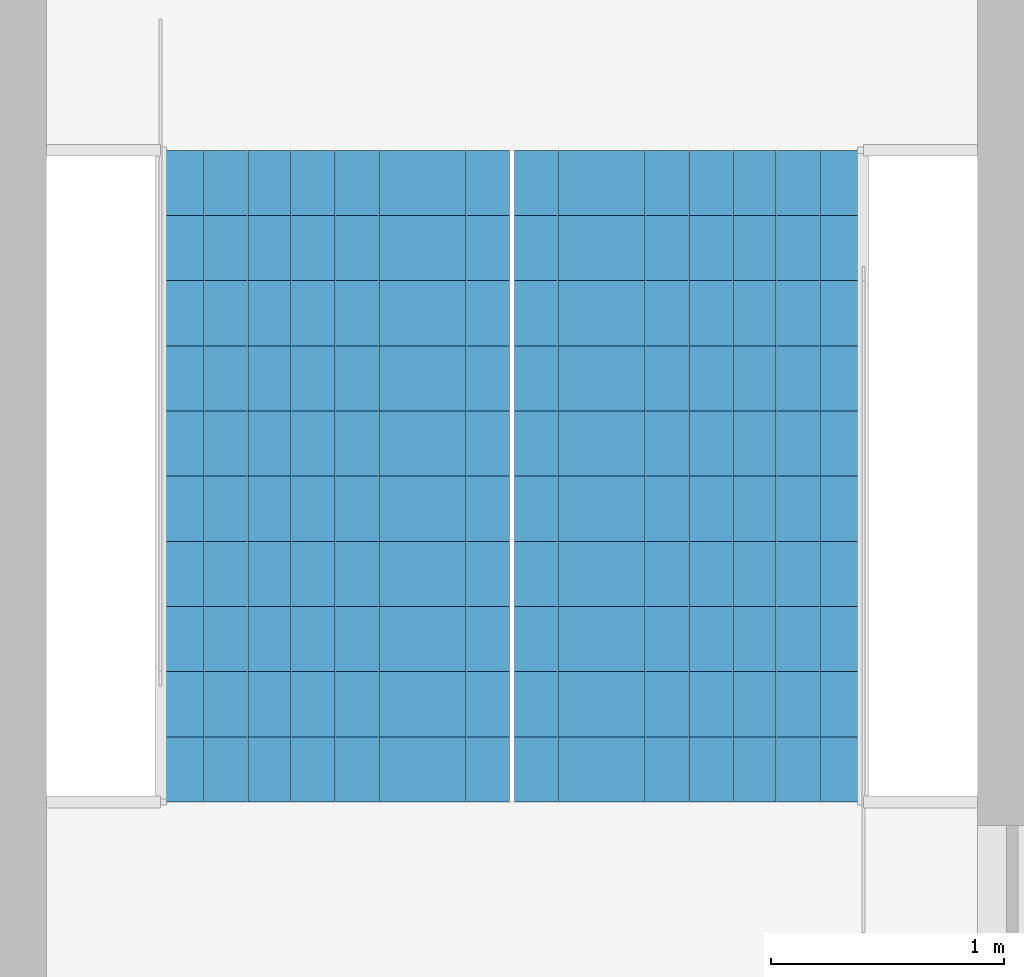
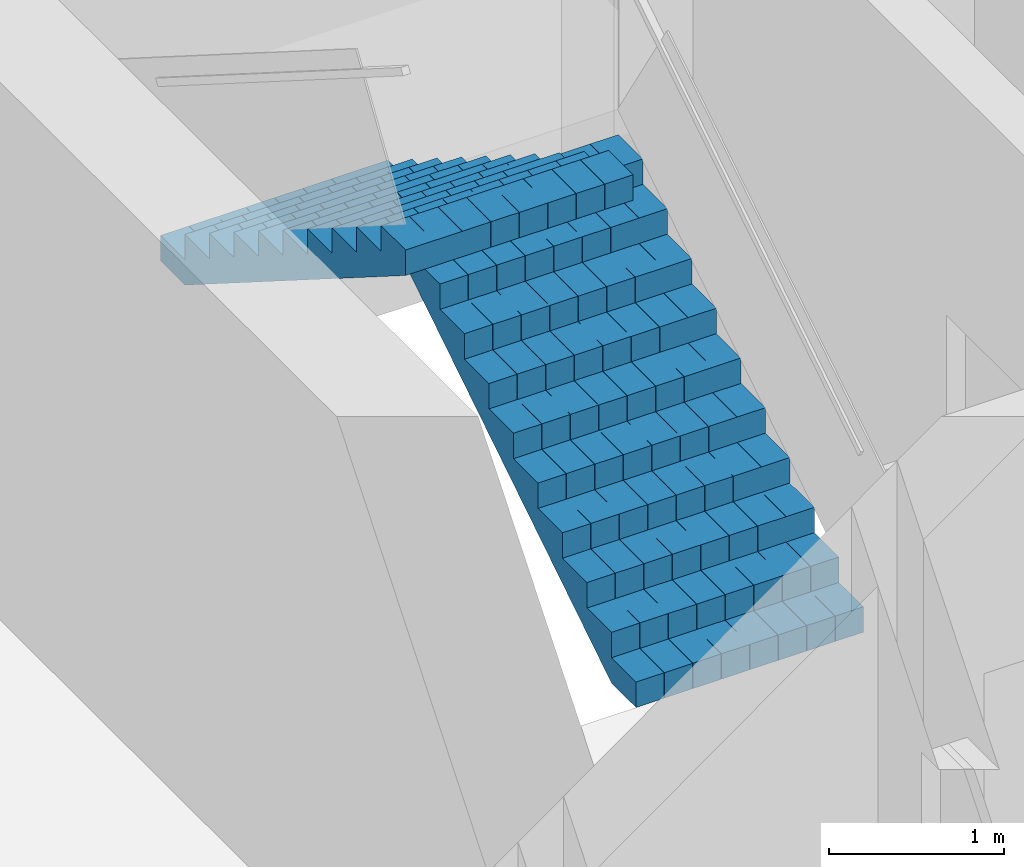
# One storey, part 13 of 15: 2 stair flights, 1 element without a shape of its own.
"""IFC4 building model written with IfcOpenShell, lengths in metres."""

from ifc_helpers import new_model, si_unit, direction, frame, origin, place, context, subcontext, project, spatial, polyline, outline, extrude, material, type_object, element, aggregate, save


model = new_model("IFC4")

# Units and contexts
model_context = context("Model", 3, precision=1e-05, world=origin(), true_north=direction((0.0, 1.0)))
body_context = subcontext(model_context, "Body", "Model", "MODEL_VIEW")
ifc_project = project(units=[si_unit("LENGTHUNIT", "METRE"), si_unit("AREAUNIT", "SQUARE_METRE"), si_unit("VOLUMEUNIT", "CUBIC_METRE"), si_unit("PLANEANGLEUNIT", "RADIAN"), si_unit("MASSUNIT", "GRAM", prefix="KILO")], contexts=[model_context])

# Site, building, storey
site_placement = place(None, origin())
site = spatial("IfcSite", under=ifc_project, at=site_placement, CompositionType="ELEMENT")
building_placement = place(site_placement, origin())
building = spatial("IfcBuilding", under=site, at=building_placement, Name="Kolab Exchange Tower", CompositionType="ELEMENT")
storey_placement = place(building_placement, frame((0.0, 0.0, 142.699951171875)))
storey = spatial("IfcBuildingStorey", under=building, at=storey_placement, Name="L28", CompositionType="ELEMENT", Elevation=142.699951171875)

# Stair, stair flights
ifc_material = material(Name="Concrete C50/60", Category="concrete")
stair_type = type_object("IfcStairType", Name="STAIR ST1 RISER 177.3", PredefinedType="HALF_TURN_STAIR", material=ifc_material)
stair_placement = place(storey_placement, origin())
stair = element("IfcStair", 1, at=stair_placement, inside=storey, type_object=stair_type, Name="Stair 1", PredefinedType="HALF_TURN_STAIR")
stair_flight_type = type_object("IfcStairFlightType", Name="STAIR FLIGHT 1500 RISER 177.3", PredefinedType="STRAIGHT", material=ifc_material)
stair_flight_1_placement = place(storey_placement, frame((-6.489990234375, 5.550048828125, 0.0), z_axis=(0.0, 0.0, 1.0), x_axis=(0.0, 1.0, 0.0)))
stair_flight_1 = element("IfcStairFlight", 2, at=stair_flight_1_placement, type_object=stair_flight_type, Name="ST1 flight 1", NumberOfRisers=11, NumberOfTreads=10, PredefinedType="STRAIGHT", RiserHeight=0.177272727, TreadLength=0.28, context=body_context, shape_type="SweptSolid", body=[
    extrude(outline(polyline([(0.0, 0.0), (0.0, 0.17724609375), (0.280029296875, 0.17724609375), (0.280029296875, 0.3544921875), (0.56005859375, 0.3544921875), (0.56005859375, 0.53173828125), (0.840087890625, 0.53173828125), (0.840087890625, 0.708984375), (1.1201171875, 0.708984375), (1.1201171875, 0.886474609375), (1.39990234375, 0.886474609375), (1.39990234375, 1.063720703125), (1.679931640625, 1.063720703125), (1.679931640625, 1.240966796875), (1.9599609375, 1.240966796875), (1.9599609375, 1.418212890625), (2.239990234375, 1.418212890625), (2.239990234375, 1.595458984375), (2.52001953125, 1.595458984375), (2.52001953125, 1.772705078125), (2.800048828125, 1.772705078125), (2.800048828125, 1.949951171875), (2.800048828125, 1.59521484375), (0.2802734375, 0.0), (0.0, 0.0)])), frame((0.0, 0.75, 0.0), z_axis=(0.0, -1.0, 0.0), x_axis=(1.0, 0.0, 0.0)), (0.0, 0.0, 1.0), 0.185791015625),
    extrude(outline(polyline([(0.0, 0.0), (0.0, 0.17724609375), (0.280029296875, 0.17724609375), (0.280029296875, 0.3544921875), (0.56005859375, 0.3544921875), (0.56005859375, 0.53173828125), (0.840087890625, 0.53173828125), (0.840087890625, 0.708984375), (1.1201171875, 0.708984375), (1.1201171875, 0.886474609375), (1.39990234375, 0.886474609375), (1.39990234375, 1.063720703125), (1.679931640625, 1.063720703125), (1.679931640625, 1.240966796875), (1.9599609375, 1.240966796875), (1.9599609375, 1.418212890625), (2.239990234375, 1.418212890625), (2.239990234375, 1.595458984375), (2.52001953125, 1.595458984375), (2.52001953125, 1.772705078125), (2.800048828125, 1.772705078125), (2.800048828125, 1.949951171875), (2.800048828125, 1.59521484375), (0.2802734375, 0.0), (0.0, 0.0)])), frame((0.0, 0.562255859375, 0.0), z_axis=(0.0, -1.0, 0.0), x_axis=(1.0, 0.0, 0.0)), (0.0, 0.0, 1.0), 0.185791015625),
    extrude(outline(polyline([(0.0, 0.0), (0.0, 0.17724609375), (0.280029296875, 0.17724609375), (0.280029296875, 0.3544921875), (0.56005859375, 0.3544921875), (0.56005859375, 0.53173828125), (0.840087890625, 0.53173828125), (0.840087890625, 0.708984375), (1.1201171875, 0.708984375), (1.1201171875, 0.886474609375), (1.39990234375, 0.886474609375), (1.39990234375, 1.063720703125), (1.679931640625, 1.063720703125), (1.679931640625, 1.240966796875), (1.9599609375, 1.240966796875), (1.9599609375, 1.418212890625), (2.239990234375, 1.418212890625), (2.239990234375, 1.595458984375), (2.52001953125, 1.595458984375), (2.52001953125, 1.772705078125), (2.800048828125, 1.772705078125), (2.800048828125, 1.949951171875), (2.800048828125, 1.59521484375), (0.2802734375, 0.0), (0.0, 0.0)])), frame((0.0, 0.37451171875, 0.0), z_axis=(0.0, -1.0, 0.0), x_axis=(1.0, 0.0, 0.0)), (0.0, 0.0, 1.0), 0.185791015625),
    extrude(outline(polyline([(0.0, 0.0), (0.0, 0.17724609375), (0.280029296875, 0.17724609375), (0.280029296875, 0.3544921875), (0.56005859375, 0.3544921875), (0.56005859375, 0.53173828125), (0.840087890625, 0.53173828125), (0.840087890625, 0.708984375), (1.1201171875, 0.708984375), (1.1201171875, 0.886474609375), (1.39990234375, 0.886474609375), (1.39990234375, 1.063720703125), (1.679931640625, 1.063720703125), (1.679931640625, 1.240966796875), (1.9599609375, 1.240966796875), (1.9599609375, 1.418212890625), (2.239990234375, 1.418212890625), (2.239990234375, 1.595458984375), (2.52001953125, 1.595458984375), (2.52001953125, 1.772705078125), (2.800048828125, 1.772705078125), (2.800048828125, 1.949951171875), (2.800048828125, 1.59521484375), (0.2802734375, 0.0), (0.0, 0.0)])), frame((0.0, 0.186767578125, 0.0), z_axis=(0.0, -1.0, 0.0), x_axis=(1.0, 0.0, 0.0)), (0.0, 0.0, 1.0), 0.185791015625),
    extrude(outline(polyline([(0.0, 0.0), (0.0, 0.17724609375), (0.280029296875, 0.17724609375), (0.280029296875, 0.3544921875), (0.56005859375, 0.3544921875), (0.56005859375, 0.53173828125), (0.840087890625, 0.53173828125), (0.840087890625, 0.708984375), (1.1201171875, 0.708984375), (1.1201171875, 0.886474609375), (1.39990234375, 0.886474609375), (1.39990234375, 1.063720703125), (1.679931640625, 1.063720703125), (1.679931640625, 1.240966796875), (1.9599609375, 1.240966796875), (1.9599609375, 1.418212890625), (2.239990234375, 1.418212890625), (2.239990234375, 1.595458984375), (2.52001953125, 1.595458984375), (2.52001953125, 1.772705078125), (2.800048828125, 1.772705078125), (2.800048828125, 1.949951171875), (2.800048828125, 1.59521484375), (0.2802734375, 0.0), (0.0, 0.0)])), frame((0.0, -0.0009765625, 0.0), z_axis=(0.0, -1.0, 0.0), x_axis=(1.0, 0.0, 0.0)), (0.0, 0.0, 1.0), 0.185791015625),
    extrude(outline(polyline([(0.0, 0.0), (0.0, 0.17724609375), (0.280029296875, 0.17724609375), (0.280029296875, 0.3544921875), (0.56005859375, 0.3544921875), (0.56005859375, 0.53173828125), (0.840087890625, 0.53173828125), (0.840087890625, 0.708984375), (1.1201171875, 0.708984375), (1.1201171875, 0.886474609375), (1.39990234375, 0.886474609375), (1.39990234375, 1.063720703125), (1.679931640625, 1.063720703125), (1.679931640625, 1.240966796875), (1.9599609375, 1.240966796875), (1.9599609375, 1.418212890625), (2.239990234375, 1.418212890625), (2.239990234375, 1.595458984375), (2.52001953125, 1.595458984375), (2.52001953125, 1.772705078125), (2.800048828125, 1.772705078125), (2.800048828125, 1.949951171875), (2.800048828125, 1.59521484375), (0.2802734375, 0.0), (0.0, 0.0)])), frame((0.0, -0.188720703125, 0.0), z_axis=(0.0, -1.0, 0.0), x_axis=(1.0, 0.0, 0.0)), (0.0, 0.0, 1.0), 0.185791015625),
    extrude(outline(polyline([(0.0, 0.0), (0.0, 0.17724609375), (0.280029296875, 0.17724609375), (0.280029296875, 0.3544921875), (0.56005859375, 0.3544921875), (0.56005859375, 0.53173828125), (0.840087890625, 0.53173828125), (0.840087890625, 0.708984375), (1.1201171875, 0.708984375), (1.1201171875, 0.886474609375), (1.39990234375, 0.886474609375), (1.39990234375, 1.063720703125), (1.679931640625, 1.063720703125), (1.679931640625, 1.240966796875), (1.9599609375, 1.240966796875), (1.9599609375, 1.418212890625), (2.239990234375, 1.418212890625), (2.239990234375, 1.595458984375), (2.52001953125, 1.595458984375), (2.52001953125, 1.772705078125), (2.800048828125, 1.772705078125), (2.800048828125, 1.949951171875), (2.800048828125, 1.59521484375), (0.2802734375, 0.0), (0.0, 0.0)])), frame((0.0, -0.37646484375, 0.0), z_axis=(0.0, -1.0, 0.0), x_axis=(1.0, 0.0, 0.0)), (0.0, 0.0, 1.0), 0.185791015625),
    extrude(outline(polyline([(0.0, 0.0), (0.0, 0.17724609375), (0.280029296875, 0.17724609375), (0.280029296875, 0.3544921875), (0.56005859375, 0.3544921875), (0.56005859375, 0.53173828125), (0.840087890625, 0.53173828125), (0.840087890625, 0.708984375), (1.1201171875, 0.708984375), (1.1201171875, 0.886474609375), (1.39990234375, 0.886474609375), (1.39990234375, 1.063720703125), (1.679931640625, 1.063720703125), (1.679931640625, 1.240966796875), (1.9599609375, 1.240966796875), (1.9599609375, 1.418212890625), (2.239990234375, 1.418212890625), (2.239990234375, 1.595458984375), (2.52001953125, 1.595458984375), (2.52001953125, 1.772705078125), (2.800048828125, 1.772705078125), (2.800048828125, 1.949951171875), (2.800048828125, 1.59521484375), (0.2802734375, 0.0), (0.0, 0.0)])), frame((0.0, -0.564208984375, 0.0), z_axis=(0.0, -1.0, 0.0), x_axis=(1.0, 0.0, 0.0)), (0.0, 0.0, 1.0), 0.185791015625),
])
stair_flight_2_placement = place(storey_placement, frame((-8.010009765625, 8.35009765625, 1.949951171875), z_axis=(0.0, 0.0, 1.0), x_axis=(0.0, -1.0, 0.0)))
stair_flight_2 = element("IfcStairFlight", 3, at=stair_flight_2_placement, type_object=stair_flight_type, Name="ST1 flight 2", NumberOfRisers=11, NumberOfTreads=10, PredefinedType="STRAIGHT", RiserHeight=0.177272727, TreadLength=0.28, context=body_context, shape_type="SweptSolid", body=[
    extrude(outline(polyline([(0.0, 0.0), (0.0, 0.17724609375), (0.280029296875, 0.17724609375), (0.280029296875, 0.3544921875), (0.56005859375, 0.3544921875), (0.56005859375, 0.53173828125), (0.840087890625, 0.53173828125), (0.840087890625, 0.708984375), (1.1201171875, 0.708984375), (1.1201171875, 0.886474609375), (1.39990234375, 0.886474609375), (1.39990234375, 1.063720703125), (1.679931640625, 1.063720703125), (1.679931640625, 1.240966796875), (1.9599609375, 1.240966796875), (1.9599609375, 1.418212890625), (2.239990234375, 1.418212890625), (2.239990234375, 1.595458984375), (2.52001953125, 1.595458984375), (2.52001953125, 1.772705078125), (2.800048828125, 1.772705078125), (2.800048828125, 1.949951171875), (2.800048828125, 1.59521484375), (0.2802734375, 0.0), (0.0, 0.0)])), frame((0.0, 0.75, 0.0), z_axis=(0.0, -1.0, 0.0), x_axis=(1.0, 0.0, 0.0)), (0.0, 0.0, 1.0), 0.185791015625),
    extrude(outline(polyline([(0.0, 0.0), (0.0, 0.17724609375), (0.280029296875, 0.17724609375), (0.280029296875, 0.3544921875), (0.56005859375, 0.3544921875), (0.56005859375, 0.53173828125), (0.840087890625, 0.53173828125), (0.840087890625, 0.708984375), (1.1201171875, 0.708984375), (1.1201171875, 0.886474609375), (1.39990234375, 0.886474609375), (1.39990234375, 1.063720703125), (1.679931640625, 1.063720703125), (1.679931640625, 1.240966796875), (1.9599609375, 1.240966796875), (1.9599609375, 1.418212890625), (2.239990234375, 1.418212890625), (2.239990234375, 1.595458984375), (2.52001953125, 1.595458984375), (2.52001953125, 1.772705078125), (2.800048828125, 1.772705078125), (2.800048828125, 1.949951171875), (2.800048828125, 1.59521484375), (0.2802734375, 0.0), (0.0, 0.0)])), frame((0.0, 0.562255859375, 0.0), z_axis=(0.0, -1.0, 0.0), x_axis=(1.0, 0.0, 0.0)), (0.0, 0.0, 1.0), 0.185791015625),
    extrude(outline(polyline([(0.0, 0.0), (0.0, 0.17724609375), (0.280029296875, 0.17724609375), (0.280029296875, 0.3544921875), (0.56005859375, 0.3544921875), (0.56005859375, 0.53173828125), (0.840087890625, 0.53173828125), (0.840087890625, 0.708984375), (1.1201171875, 0.708984375), (1.1201171875, 0.886474609375), (1.39990234375, 0.886474609375), (1.39990234375, 1.063720703125), (1.679931640625, 1.063720703125), (1.679931640625, 1.240966796875), (1.9599609375, 1.240966796875), (1.9599609375, 1.418212890625), (2.239990234375, 1.418212890625), (2.239990234375, 1.595458984375), (2.52001953125, 1.595458984375), (2.52001953125, 1.772705078125), (2.800048828125, 1.772705078125), (2.800048828125, 1.949951171875), (2.800048828125, 1.59521484375), (0.2802734375, 0.0), (0.0, 0.0)])), frame((0.0, 0.37451171875, 0.0), z_axis=(0.0, -1.0, 0.0), x_axis=(1.0, 0.0, 0.0)), (0.0, 0.0, 1.0), 0.185791015625),
    extrude(outline(polyline([(0.0, 0.0), (0.0, 0.17724609375), (0.280029296875, 0.17724609375), (0.280029296875, 0.3544921875), (0.56005859375, 0.3544921875), (0.56005859375, 0.53173828125), (0.840087890625, 0.53173828125), (0.840087890625, 0.708984375), (1.1201171875, 0.708984375), (1.1201171875, 0.886474609375), (1.39990234375, 0.886474609375), (1.39990234375, 1.063720703125), (1.679931640625, 1.063720703125), (1.679931640625, 1.240966796875), (1.9599609375, 1.240966796875), (1.9599609375, 1.418212890625), (2.239990234375, 1.418212890625), (2.239990234375, 1.595458984375), (2.52001953125, 1.595458984375), (2.52001953125, 1.772705078125), (2.800048828125, 1.772705078125), (2.800048828125, 1.949951171875), (2.800048828125, 1.59521484375), (0.2802734375, 0.0), (0.0, 0.0)])), frame((0.0, 0.186767578125, 0.0), z_axis=(0.0, -1.0, 0.0), x_axis=(1.0, 0.0, 0.0)), (0.0, 0.0, 1.0), 0.185791015625),
    extrude(outline(polyline([(0.0, 0.0), (0.0, 0.17724609375), (0.280029296875, 0.17724609375), (0.280029296875, 0.3544921875), (0.56005859375, 0.3544921875), (0.56005859375, 0.53173828125), (0.840087890625, 0.53173828125), (0.840087890625, 0.708984375), (1.1201171875, 0.708984375), (1.1201171875, 0.886474609375), (1.39990234375, 0.886474609375), (1.39990234375, 1.063720703125), (1.679931640625, 1.063720703125), (1.679931640625, 1.240966796875), (1.9599609375, 1.240966796875), (1.9599609375, 1.418212890625), (2.239990234375, 1.418212890625), (2.239990234375, 1.595458984375), (2.52001953125, 1.595458984375), (2.52001953125, 1.772705078125), (2.800048828125, 1.772705078125), (2.800048828125, 1.949951171875), (2.800048828125, 1.59521484375), (0.2802734375, 0.0), (0.0, 0.0)])), frame((0.0, -0.0009765625, 0.0), z_axis=(0.0, -1.0, 0.0), x_axis=(1.0, 0.0, 0.0)), (0.0, 0.0, 1.0), 0.185791015625),
    extrude(outline(polyline([(0.0, 0.0), (0.0, 0.17724609375), (0.280029296875, 0.17724609375), (0.280029296875, 0.3544921875), (0.56005859375, 0.3544921875), (0.56005859375, 0.53173828125), (0.840087890625, 0.53173828125), (0.840087890625, 0.708984375), (1.1201171875, 0.708984375), (1.1201171875, 0.886474609375), (1.39990234375, 0.886474609375), (1.39990234375, 1.063720703125), (1.679931640625, 1.063720703125), (1.679931640625, 1.240966796875), (1.9599609375, 1.240966796875), (1.9599609375, 1.418212890625), (2.239990234375, 1.418212890625), (2.239990234375, 1.595458984375), (2.52001953125, 1.595458984375), (2.52001953125, 1.772705078125), (2.800048828125, 1.772705078125), (2.800048828125, 1.949951171875), (2.800048828125, 1.59521484375), (0.2802734375, 0.0), (0.0, 0.0)])), frame((0.0, -0.188720703125, 0.0), z_axis=(0.0, -1.0, 0.0), x_axis=(1.0, 0.0, 0.0)), (0.0, 0.0, 1.0), 0.185791015625),
    extrude(outline(polyline([(0.0, 0.0), (0.0, 0.17724609375), (0.280029296875, 0.17724609375), (0.280029296875, 0.3544921875), (0.56005859375, 0.3544921875), (0.56005859375, 0.53173828125), (0.840087890625, 0.53173828125), (0.840087890625, 0.708984375), (1.1201171875, 0.708984375), (1.1201171875, 0.886474609375), (1.39990234375, 0.886474609375), (1.39990234375, 1.063720703125), (1.679931640625, 1.063720703125), (1.679931640625, 1.240966796875), (1.9599609375, 1.240966796875), (1.9599609375, 1.418212890625), (2.239990234375, 1.418212890625), (2.239990234375, 1.595458984375), (2.52001953125, 1.595458984375), (2.52001953125, 1.772705078125), (2.800048828125, 1.772705078125), (2.800048828125, 1.949951171875), (2.800048828125, 1.59521484375), (0.2802734375, 0.0), (0.0, 0.0)])), frame((0.0, -0.37646484375, 0.0), z_axis=(0.0, -1.0, 0.0), x_axis=(1.0, 0.0, 0.0)), (0.0, 0.0, 1.0), 0.185791015625),
    extrude(outline(polyline([(0.0, 0.0), (0.0, 0.17724609375), (0.280029296875, 0.17724609375), (0.280029296875, 0.3544921875), (0.56005859375, 0.3544921875), (0.56005859375, 0.53173828125), (0.840087890625, 0.53173828125), (0.840087890625, 0.708984375), (1.1201171875, 0.708984375), (1.1201171875, 0.886474609375), (1.39990234375, 0.886474609375), (1.39990234375, 1.063720703125), (1.679931640625, 1.063720703125), (1.679931640625, 1.240966796875), (1.9599609375, 1.240966796875), (1.9599609375, 1.418212890625), (2.239990234375, 1.418212890625), (2.239990234375, 1.595458984375), (2.52001953125, 1.595458984375), (2.52001953125, 1.772705078125), (2.800048828125, 1.772705078125), (2.800048828125, 1.949951171875), (2.800048828125, 1.59521484375), (0.2802734375, 0.0), (0.0, 0.0)])), frame((0.0, -0.564208984375, 0.0), z_axis=(0.0, -1.0, 0.0), x_axis=(1.0, 0.0, 0.0)), (0.0, 0.0, 1.0), 0.185791015625),
])
aggregate(stair, [stair_flight_1, stair_flight_2])

save(model, "model.ifc")
